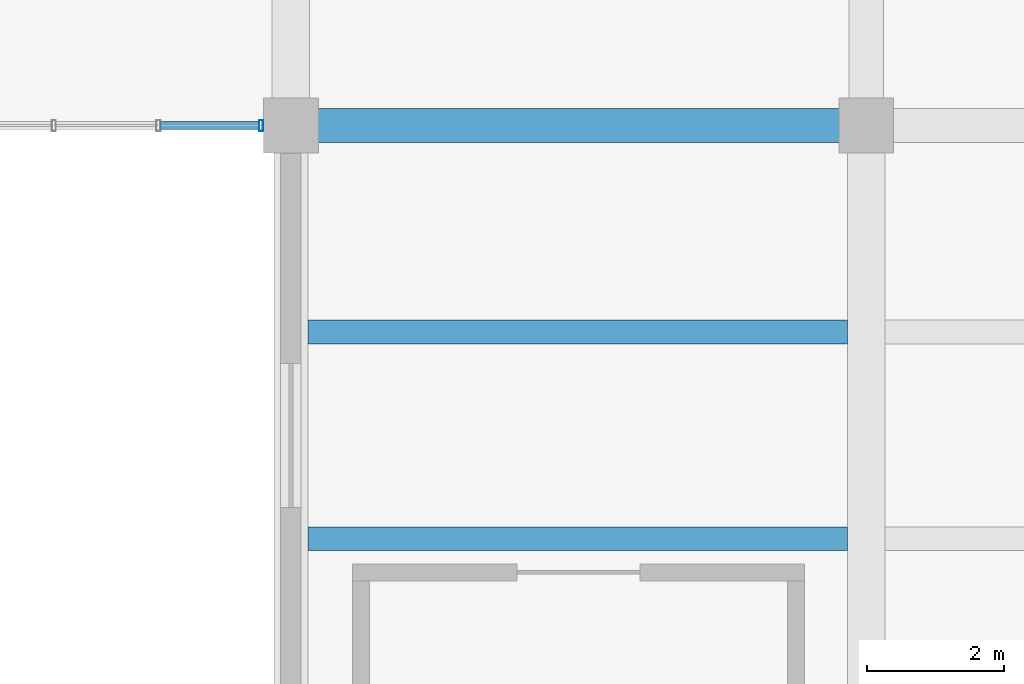
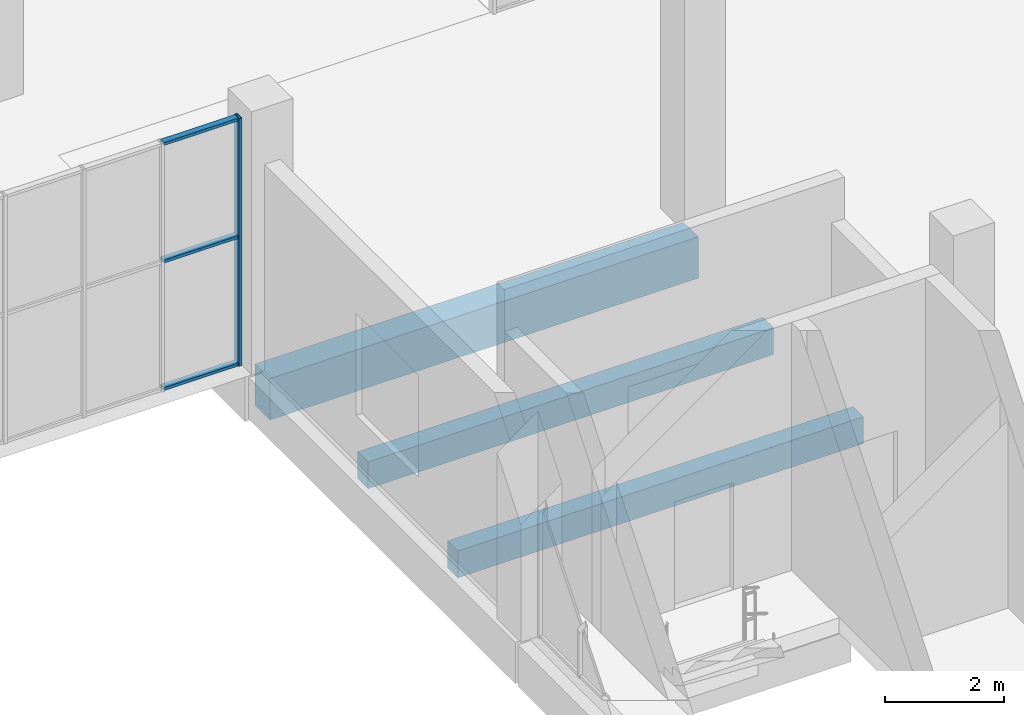
# One storey, part 6 of 91: 4 members, 3 beams, 1 element without a shape of its own.
"""IFC4 building model written with IfcOpenShell, lengths in metres."""

import ifcopenshell
import ifcopenshell.guid

model = None  # the IFC model being written
_history = None  # IfcOwnerHistory: only IFC2X3 demands one
_inside = {}  # id of a spatial element -> (the spatial element, [elements in it])
_under = {}  # id of a project, library or spatial element -> (it, [spatial elements below it])
_declared = {}  # id of a project -> (the project, [libraries it declares])
_typed = {}  # id of a type object -> (the type object, [elements of that type])
_made_of = {}  # id of a material, layer set ... -> (it, [elements and type objects made of it])


def new_model(schema):
    """Start an empty IFC model of exactly this schema.

    Asked for "IFC4X3", IfcOpenShell would pick the latest addendum, in which some entities
    have other attributes; the version numbers below select the first issue.
    IFC2X3 requires an IfcOwnerHistory on every rooted entity: one is made here for all.
    """
    global model, _history
    if schema == "IFC4X3":
        model = ifcopenshell.file(schema_version=(4, 3, 0, 0))
    else:
        model = ifcopenshell.file(schema=schema)
    _inside.clear()
    _under.clear()
    _declared.clear()
    _typed.clear()
    _made_of.clear()
    _history = None
    if model.schema == "IFC2X3":
        org = make("IfcOrganization", Name="unknown")
        user = make(
            "IfcPersonAndOrganization",
            ThePerson=make("IfcPerson", FamilyName="unknown"),
            TheOrganization=org,
        )
        app = make(
            "IfcApplication",
            ApplicationDeveloper=org,
            Version="unknown",
            ApplicationFullName="unknown",
            ApplicationIdentifier="unknown",
        )
        _history = make(
            "IfcOwnerHistory",
            OwningUser=user,
            OwningApplication=app,
            ChangeAction="ADDED",
            CreationDate=0,
        )
    return model


def make(cls, **values):
    """One entity of the class cls with the attributes given. An attribute that is None is left unset."""
    return model.create_entity(
        cls, **{name: value for name, value in values.items() if value is not None}
    )


def rooted(cls, **values):
    """An entity with a GlobalId (a new one), such as an element, a storey or a relation."""
    return make(cls, GlobalId=ifcopenshell.guid.new(), OwnerHistory=_history, **values)


def si_unit(unit_type, name, prefix=None):
    """IfcSIUnit, for example si_unit("LENGTHUNIT", "METRE", prefix="MILLI")."""
    return make("IfcSIUnit", UnitType=unit_type, Prefix=prefix, Name=name)


def assignment(units):
    """IfcUnitAssignment: the units of a project."""
    return None if units is None else make("IfcUnitAssignment", Units=units)


def point(xyz):
    """IfcCartesianPoint."""
    return None if xyz is None else make("IfcCartesianPoint", Coordinates=xyz)


def direction(xyz):
    """IfcDirection."""
    return None if xyz is None else make("IfcDirection", DirectionRatios=xyz)


def frame(location, z_axis=None, x_axis=None):
    """IfcAxis2Placement3D, a coordinate frame: its origin and axes. An axis left out is left unset."""
    return make(
        "IfcAxis2Placement3D",
        Location=point(location),
        Axis=direction(z_axis),
        RefDirection=direction(x_axis),
    )


def frame_2d(location, x_axis=None):
    """IfcAxis2Placement2D, a coordinate frame in the plane: its origin and x axis."""
    return make(
        "IfcAxis2Placement2D", Location=point(location), RefDirection=direction(x_axis)
    )


def origin():
    """The frame at (0, 0, 0) with its axes left unset."""
    return frame((0.0, 0.0, 0.0))


def origin_2d():
    """The frame at (0, 0) in the plane with its x axis left unset."""
    return frame_2d((0.0, 0.0))


def place(relative_to, where):
    """IfcLocalPlacement: puts the frame where relative to a parent placement (None: the world)."""
    return make(
        "IfcLocalPlacement", PlacementRelTo=relative_to, RelativePlacement=where
    )


def context(
    kind, dimensions, precision=None, world=None, true_north=None, identifier=None
):
    """IfcGeometricRepresentationContext, for example the 3D "Model" context."""
    return make(
        "IfcGeometricRepresentationContext",
        ContextIdentifier=identifier,
        ContextType=kind,
        CoordinateSpaceDimension=dimensions,
        Precision=precision,
        WorldCoordinateSystem=world,
        TrueNorth=true_north,
    )


def subcontext(parent, identifier, kind, view, scale=None):
    """IfcGeometricRepresentationSubContext, for example "Body" below "Model"."""
    return make(
        "IfcGeometricRepresentationSubContext",
        ContextIdentifier=identifier,
        ContextType=kind,
        ParentContext=parent,
        TargetScale=scale,
        TargetView=view,
    )


def project(units=None, contexts=None):
    """IfcProject with its units and contexts."""
    return rooted(
        "IfcProject",
        Name="project",
        RepresentationContexts=contexts,
        UnitsInContext=assignment(units),
    )


def spatial(cls, under=None, at=None, **own):
    """A site, building, storey or space (cls), placed at a placement, below another one or the project."""
    s = rooted(cls, ObjectPlacement=at, **own)
    if under is not None:
        _under.setdefault(under.id(), (under, []))[1].append(s)
    return s


def profile(cls, at=None, kind="AREA", **sizes):
    """A parametric profile (cls). Its sizes go by their IFC names, for example OverallWidth=200.0."""
    return make(cls, ProfileType=kind, Position=at, **sizes)


def rectangle(**sizes):
    """IfcRectangleProfileDef."""
    return profile("IfcRectangleProfileDef", **sizes)


def hollow_rectangle(**sizes):
    """IfcRectangleHollowProfileDef."""
    return profile("IfcRectangleHollowProfileDef", **sizes)


def extrude(swept, where, along, depth):
    """IfcExtrudedAreaSolid: the profile swept, set in the frame where, extruded along a direction by depth."""
    return make(
        "IfcExtrudedAreaSolid",
        SweptArea=swept,
        Position=where,
        ExtrudedDirection=direction(along),
        Depth=depth,
    )


def shape(context_of_items, identifier, shape_type, items):
    """IfcShapeRepresentation: the items that make up one representation, for example the "Body"."""
    return make(
        "IfcShapeRepresentation",
        ContextOfItems=context_of_items,
        RepresentationIdentifier=identifier,
        RepresentationType=shape_type,
        Items=items,
    )


def material(Name=None, Category=None):
    """IfcMaterial."""
    return make("IfcMaterial", Name=Name, Category=Category)


def material_profile(
    of_material, cross_section, Name=None, Category=None, Priority=None
):
    """IfcMaterialProfile: a cross section and its material."""
    return make(
        "IfcMaterialProfile",
        Name=Name,
        Material=of_material,
        Profile=cross_section,
        Priority=Priority,
        Category=Category,
    )


def profile_set(profiles, Name=None, composite=None):
    """IfcMaterialProfileSet."""
    return make(
        "IfcMaterialProfileSet",
        Name=Name,
        MaterialProfiles=profiles,
        CompositeProfile=composite,
    )


def made_of(thing, what):
    """Note that an element or type object is made of a material, layer set ...; save() writes the relation."""
    if what is not None:
        _made_of.setdefault(what.id(), (what, []))[1].append(thing)
    return thing


def type_object(cls, material=None, **own):
    """A type object (cls), such as IfcWallType, which elements share."""
    return made_of(rooted(cls, **own), material)


def element(
    cls,
    number,
    at=None,
    inside=None,
    cuts=None,
    type_object=None,
    material=None,
    context=None,
    identifier="Body",
    shape_type=None,
    held_by="IfcProductDefinitionShape",
    body=None,
    shapes=None,
    **own,
):
    """One element of the class cls, such as IfcWall. Its Tag is "e" and its number.

    at: its placement. inside: the storey or other place that contains it. cuts: it is an
    opening in that element (IfcRelVoidsElement). A single representation is given by context,
    identifier, shape_type and body (its items); several are given by shapes. held_by: the class
    of the entity that holds the representations. save() writes the other relations.
    """
    e = rooted(cls, Tag="e%d" % number, ObjectPlacement=at, **own)
    if body is not None:
        shapes = [shape(context, identifier, shape_type, body)]
    if shapes is not None:
        e.Representation = make(held_by, Representations=shapes)
    if inside is not None:
        _inside.setdefault(inside.id(), (inside, []))[1].append(e)
    if cuts is not None:
        rooted(
            "IfcRelVoidsElement", RelatingBuildingElement=cuts, RelatedOpeningElement=e
        )
    if type_object is not None:
        _typed.setdefault(type_object.id(), (type_object, []))[1].append(e)
    return made_of(e, material)


def aggregate(whole, parts):
    """IfcRelAggregates: a whole, such as a stair, and the parts it consists of."""
    return rooted("IfcRelAggregates", RelatingObject=whole, RelatedObjects=parts)


def save(model, path):
    """Write the relations noted so far, then the file.

    IfcRelAggregates (storeys below a building ...), IfcRelContainedInSpatialStructure (elements
    in a storey), IfcRelDefinesByType, IfcRelAssociatesMaterial and IfcRelDeclares: one each for
    every whole, place, type object, material and project.
    """
    for whole, parts in _under.values():
        aggregate(whole, parts)
    for where, things in _inside.values():
        rooted(
            "IfcRelContainedInSpatialStructure",
            RelatedElements=things,
            RelatingStructure=where,
        )
    for kind, things in _typed.values():
        rooted("IfcRelDefinesByType", RelatedObjects=things, RelatingType=kind)
    for what, things in _made_of.values():
        rooted("IfcRelAssociatesMaterial", RelatedObjects=things, RelatingMaterial=what)
    for by, libraries in _declared.values():
        rooted("IfcRelDeclares", RelatingContext=by, RelatedDefinitions=libraries)
    model.write(path)


model = new_model("IFC4")

# Units and contexts
model_context = context("Model", 3, precision=1e-05, world=origin(), true_north=direction((0.0, 1.0)))
body_context = subcontext(model_context, "Body", "Model", "MODEL_VIEW")
ifc_project = project(units=[si_unit("LENGTHUNIT", "METRE"), si_unit("AREAUNIT", "SQUARE_METRE"), si_unit("VOLUMEUNIT", "CUBIC_METRE"), si_unit("PLANEANGLEUNIT", "RADIAN"), si_unit("MASSUNIT", "GRAM", prefix="KILO")], contexts=[model_context])

# Site, building, storey
site_placement = place(None, origin())
site = spatial("IfcSite", under=ifc_project, at=site_placement, CompositionType="ELEMENT")
building_placement = place(site_placement, origin())
building = spatial("IfcBuilding", under=site, at=building_placement, Name="Khurvash Pelagic Aquarium", CompositionType="ELEMENT")
storey_placement = place(building_placement, origin())
storey = spatial("IfcBuildingStorey", under=building, at=storey_placement, Name="L00", CompositionType="ELEMENT", Elevation=0.0)

# Beam
ifc_material_1 = material(Name="Concrete C40/50", Category="concrete")
ifc_material_profile_1 = material_profile(ifc_material_1, rectangle(XDim=0.5, YDim=0.85009765625, at=origin_2d()), Name="RC500X850")
ifc_profile_set_1 = profile_set([ifc_material_profile_1], Name="Concrete C40/50")
beam_type_1 = type_object("IfcBeamType", Name="BM-03", PredefinedType="BEAM", material=ifc_profile_set_1)
beam_placement = place(storey_placement, frame((25.239990234375, 29.75, -0.7451171875), z_axis=(1.0, 0.0, 0.0), x_axis=(0.0, 1.0, 0.0)))
element("IfcBeam", 1, at=beam_placement, inside=storey, type_object=beam_type_1, Name="L00 Primary Girder BM-03 00031", PredefinedType="BEAM", context=body_context, shape_type="SweptSolid", body=[
    extrude(rectangle(XDim=0.5, YDim=0.85009765625, at=origin_2d()), origin(), (0.0, 0.0, 1.0), 8.320068359375),
])

# Curtain wall, members
ifc_material_2 = material(Name="Anodised aluminium and low-E laminated glass", Category="aluminium")
curtain_wall_type = type_object("IfcCurtainWallType", Name="CW-02", PredefinedType="USERDEFINED", material=ifc_material_2)
curtain_wall_placement = place(storey_placement, origin())
curtain_wall = element("IfcCurtainWall", 2, at=curtain_wall_placement, inside=storey, type_object=curtain_wall_type, Name="L00 Facade Unitised Curtain Wall CW-02 0074", ObjectType="UNITISED CURTAIN WALL", PredefinedType="USERDEFINED")
ifc_material_3 = material(Name="Extruded aluminium AW-6063-T6", Category="aluminium")
ifc_material_profile_2 = material_profile(ifc_material_3, hollow_rectangle(XDim=0.06005859375, YDim=0.159912109375, WallThickness=0.00390625, at=origin_2d()), Name="CWM60X160X4")
ifc_profile_set_2 = profile_set([ifc_material_profile_2], Name="Extruded aluminium AW-6063-T6")
member_type_1 = type_object("IfcMemberType", Name="CM-02", PredefinedType="MULLION", material=ifc_profile_set_2)
member_1_placement = place(storey_placement, frame((24.764892578125, 29.75, 0.0), z_axis=(0.0, 0.0, 1.0), x_axis=(1.0, 0.0, 0.0)))
member_1 = element("IfcMember", 3, at=member_1_placement, type_object=member_type_1, Name="CW-02 mullion 6", PredefinedType="MULLION", context=body_context, shape_type="SweptSolid", body=[
    extrude(hollow_rectangle(XDim=0.06005859375, YDim=0.159912109375, WallThickness=0.00390625, at=origin_2d()), origin(), (0.0, 0.0, 1.0), 5.090087890625),
])
ifc_material_profile_3 = material_profile(ifc_material_3, hollow_rectangle(XDim=0.1201171875, YDim=0.06005859375, WallThickness=0.00390625, at=origin_2d()), Name="CWT120X60X4")
ifc_profile_set_3 = profile_set([ifc_material_profile_3], Name="Extruded aluminium AW-6063-T6")
member_type_2 = type_object("IfcMemberType", Name="CT-02", PredefinedType="USERDEFINED", material=ifc_profile_set_3)
member_2_placement = place(storey_placement, frame((23.297119140625, 29.75, 0.030029296875), z_axis=(1.0, 0.0, 0.0), x_axis=(0.0, 1.0, 0.0)))
member_2 = element("IfcMember", 4, at=member_2_placement, type_object=member_type_2, Name="CW-02 transom 5.1", ObjectType="TRANSOM", PredefinedType="USERDEFINED", context=body_context, shape_type="SweptSolid", body=[
    extrude(hollow_rectangle(XDim=0.1201171875, YDim=0.06005859375, WallThickness=0.00390625, at=origin_2d()), origin(), (0.0, 0.0, 1.0), 1.43798828125),
])
member_3_placement = place(storey_placement, frame((23.297119140625, 29.75, 2.64697265625), z_axis=(1.0, 0.0, 0.0), x_axis=(0.0, 1.0, 0.0)))
member_3 = element("IfcMember", 5, at=member_3_placement, type_object=member_type_2, Name="CW-02 transom 5.2", ObjectType="TRANSOM", PredefinedType="USERDEFINED", context=body_context, shape_type="SweptSolid", body=[
    extrude(hollow_rectangle(XDim=0.1201171875, YDim=0.06005859375, WallThickness=0.00390625, at=origin_2d()), origin(), (0.0, 0.0, 1.0), 1.43798828125),
])
member_4_placement = place(storey_placement, frame((23.297119140625, 29.75, 5.06005859375), z_axis=(1.0, 0.0, 0.0), x_axis=(0.0, 1.0, 0.0)))
member_4 = element("IfcMember", 6, at=member_4_placement, type_object=member_type_2, Name="CW-02 transom 5.3", ObjectType="TRANSOM", PredefinedType="USERDEFINED", context=body_context, shape_type="SweptSolid", body=[
    extrude(hollow_rectangle(XDim=0.1201171875, YDim=0.06005859375, WallThickness=0.00390625, at=origin_2d()), origin(), (0.0, 0.0, 1.0), 1.43798828125),
])
aggregate(curtain_wall, [member_1, member_2, member_3, member_4])

# Beams
ifc_material_4 = material(Name="Concrete C35/45", Category="concrete")
ifc_material_profile_4 = material_profile(ifc_material_4, rectangle(XDim=0.35009765625, YDim=0.550048828125, at=origin_2d()), Name="RC350X550")
ifc_profile_set_4 = profile_set([ifc_material_profile_4], Name="Concrete C35/45")
beam_type_2 = type_object("IfcBeamType", Name="JS-01", PredefinedType="JOIST", material=ifc_profile_set_4)
for number, where, z_axis, x_axis, name in (
    (7, (25.449951171875, 23.717041015625, -0.594970703125), (1.0, 0.0, 0.0), (0.0, 1.0, 0.0), "L00 Floor Joist JS-01 00155"),
    (8, (25.449951171875, 26.73291015625, -0.594970703125), (1.0, 0.0, 0.0), (0.0, 1.0, 0.0), "L00 Floor Joist JS-01 00156"),
):
    element("IfcBeam", number, at=place(storey_placement, frame(where, z_axis=z_axis, x_axis=x_axis)), inside=storey, type_object=beam_type_2, Name=name, PredefinedType="JOIST", context=body_context, shape_type="SweptSolid", body=[
        extrude(rectangle(XDim=0.35009765625, YDim=0.550048828125, at=origin_2d()), origin(), (0.0, 0.0, 1.0), 7.875),
    ])

save(model, "model.ifc")
